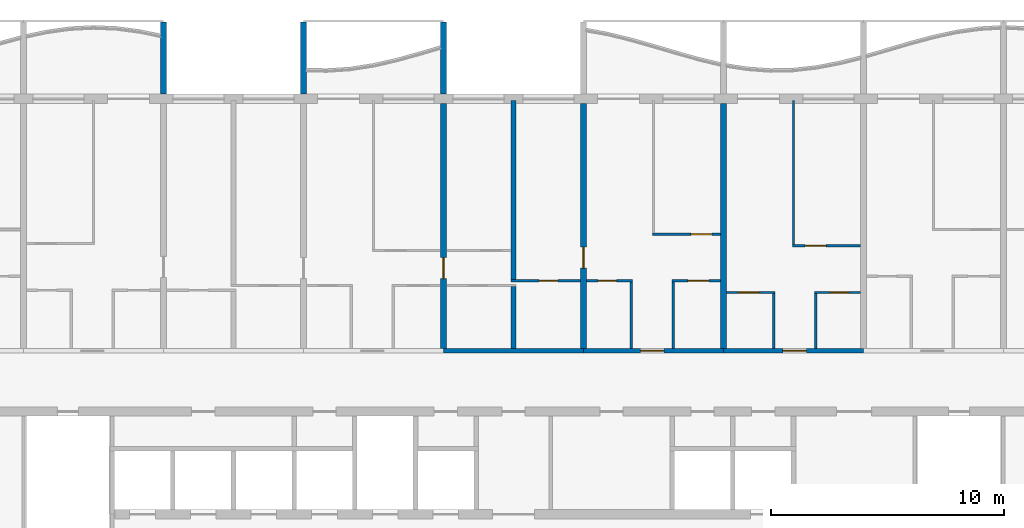
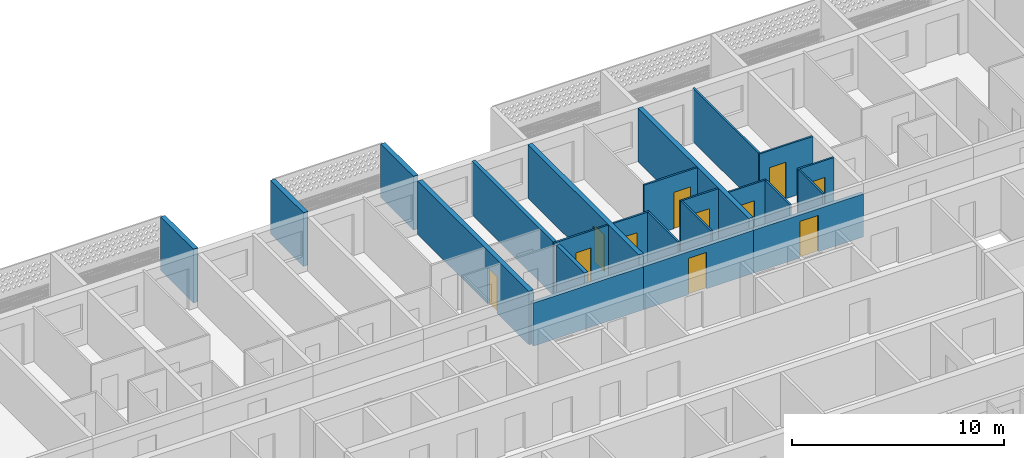
# One storey, part 9 of 28: 23 walls, 11 doors, 11 openings.
"""IFC4 building model written with IfcOpenShell, lengths in metres."""

from ifc_helpers import new_model, si_unit, direction, frame, frame_2d, origin, place, context, subcontext, project, spatial, polyline, rectangle, outline, extrude, source, transform, mapped, material, layer, layer_set, type_object, element, fill, save


model = new_model("IFC4")

# Units and contexts
model_context = context("Model", 3, precision=1e-05, world=origin(), true_north=direction((0.0, 1.0)))
body_context = subcontext(model_context, "Body", "Model", "MODEL_VIEW")
ifc_project = project(units=[si_unit("LENGTHUNIT", "METRE"), si_unit("AREAUNIT", "SQUARE_METRE"), si_unit("VOLUMEUNIT", "CUBIC_METRE"), si_unit("PLANEANGLEUNIT", "RADIAN"), si_unit("MASSUNIT", "GRAM", prefix="KILO")], contexts=[model_context])

# Site, building, storey
site_placement = place(None, origin())
site = spatial("IfcSite", under=ifc_project, at=site_placement, CompositionType="ELEMENT")
building_placement = place(site_placement, origin())
building = spatial("IfcBuilding", under=site, at=building_placement, Name="Poui Terraces", CompositionType="ELEMENT")
storey_placement = place(building_placement, frame((0.0, 0.0, 185.10009765625)))
storey = spatial("IfcBuildingStorey", under=building, at=storey_placement, Name="L51", CompositionType="ELEMENT", Elevation=185.10009765625)

# Wall
ifc_material_1 = material(Name="Concrete 50 MPa", Category="concrete")
ifc_layer_1 = layer(ifc_material_1, 0.199951171875)
ifc_layer_set_1 = layer_set([ifc_layer_1], Name="Concrete 50 MPa")
wall_type_1 = type_object("IfcWallType", Name="CORRIDOR WALL 200 50MPa", PredefinedType="SHEAR", material=ifc_layer_set_1)
wall_1_placement = place(storey_placement, frame((48.0, 30.39990234375, 0.0), z_axis=(0.0, 0.0, 1.0), x_axis=(1.0, 0.0, 0.0)))
element("IfcWall", 1, at=wall_1_placement, inside=storey, type_object=wall_type_1, Name="CORRIDOR WALL LINE E BAY 6", PredefinedType="SHEAR", context=body_context, shape_type="SweptSolid", body=[
    extrude(rectangle(XDim=6.0, YDim=0.199951171875, at=frame_2d((3.0, 0.0))), origin(), (0.0, 0.0, 1.0), 2.47998046875),
])

# Wall, opening, door
wall_2_placement = place(storey_placement, frame((54.0, 30.39990234375, 0.0), z_axis=(0.0, 0.0, 1.0), x_axis=(1.0, 0.0, 0.0)))
wall_2 = element("IfcWall", 2, at=wall_2_placement, inside=storey, type_object=wall_type_1, Name="CORRIDOR WALL LINE E BAY 7", PredefinedType="SHEAR", context=body_context, shape_type="SweptSolid", body=[
    extrude(rectangle(XDim=6.0, YDim=0.199951171875, at=frame_2d((3.0, 0.0))), origin(), (0.0, 0.0, 1.0), 2.47998046875),
])
opening_1_placement = place(wall_2_placement, frame((2.449951171875, 0.0, 0.0)))
opening_1 = element("IfcOpeningElement", 3, at=opening_1_placement, cuts=wall_2, Name="Opening FD30S", PredefinedType="OPENING", context=body_context, shape_type="SweptSolid", body=[
    extrude(rectangle(XDim=1.0, YDim=2.10009765625, at=frame_2d((0.5, 1.050048828125))), frame((0.0, 0.10986328125, 0.0), z_axis=(0.0, -1.0, 0.0), x_axis=(1.0, 0.0, 0.0)), (0.0, 0.0, 1.0), 0.219970703125),
])
ifc_material_2 = material(Name="Steel fire door", Category="steel")
door_type_1 = type_object("IfcDoorType", Name="FLAT ENTRANCE DOOR 1000 X 2100", OperationType="NOTDEFINED", PredefinedType="DOOR", material=ifc_material_2)
door_1_placement = place(opening_1_placement, origin())
door_1 = element("IfcDoor", 4, at=door_1_placement, inside=storey, type_object=door_type_1, Name="FLAT ENTRANCE DOOR 049", OperationType="SINGLE_SWING_LEFT", OverallHeight=2.10009765625, OverallWidth=1.0, PredefinedType="DOOR", context=body_context, shape_type="SweptSolid", body=[
    extrude(rectangle(XDim=1.0, YDim=2.10009765625, at=frame_2d((0.5, 1.050048828125))), frame((0.0, 0.02490234375, 0.0), z_axis=(0.0, -1.0, 0.0), x_axis=(1.0, 0.0, 0.0)), (0.0, 0.0, 1.0), 0.050048828125),
])
fill(opening_1, door_1)

wall_3_placement = place(storey_placement, frame((60.0, 30.39990234375, 0.0), z_axis=(0.0, 0.0, 1.0), x_axis=(1.0, 0.0, 0.0)))
wall_3 = element("IfcWall", 5, at=wall_3_placement, inside=storey, type_object=wall_type_1, Name="CORRIDOR WALL LINE E BAY 8", PredefinedType="SHEAR", context=body_context, shape_type="SweptSolid", body=[
    extrude(rectangle(XDim=6.0, YDim=0.199951171875, at=frame_2d((3.0, 0.0))), origin(), (0.0, 0.0, 1.0), 2.47998046875),
])
opening_2_placement = place(wall_3_placement, frame((2.550048828125, 0.0, 0.0)))
opening_2 = element("IfcOpeningElement", 6, at=opening_2_placement, cuts=wall_3, Name="Opening FD30S", PredefinedType="OPENING", context=body_context, shape_type="SweptSolid", body=[
    extrude(rectangle(XDim=1.0, YDim=2.10009765625, at=frame_2d((0.5, 1.050048828125))), frame((0.0, 0.10986328125, 0.0), z_axis=(0.0, -1.0, 0.0), x_axis=(1.0, 0.0, 0.0)), (0.0, 0.0, 1.0), 0.219970703125),
])
door_2_placement = place(opening_2_placement, origin())
door_2 = element("IfcDoor", 7, at=door_2_placement, inside=storey, type_object=door_type_1, Name="FLAT ENTRANCE DOOR 053", OperationType="SINGLE_SWING_RIGHT", OverallHeight=2.10009765625, OverallWidth=1.0, PredefinedType="DOOR", context=body_context, shape_type="SweptSolid", body=[
    extrude(rectangle(XDim=1.0, YDim=2.10009765625, at=frame_2d((0.5, 1.050048828125))), frame((0.0, 0.02490234375, 0.0), z_axis=(0.0, -1.0, 0.0), x_axis=(1.0, 0.0, 0.0)), (0.0, 0.0, 1.0), 0.050048828125),
])
fill(opening_2, door_2)

ifc_layer_2 = layer(ifc_material_1, 0.25)
ifc_layer_set_2 = layer_set([ifc_layer_2], Name="Concrete 50 MPa")
wall_type_2 = type_object("IfcWallType", Name="CROSS WALL 250 50MPa", PredefinedType="SHEAR", material=ifc_layer_set_2)
wall_4_placement = place(storey_placement, frame((48.0, 30.5, 0.0), z_axis=(0.0, 0.0, 1.0), x_axis=(0.0, 1.0, 0.0)))
wall_4 = element("IfcWall", 8, at=wall_4_placement, inside=storey, type_object=wall_type_2, Name="CROSS WALL LINE 9 NORTH", PredefinedType="SHEAR", context=body_context, shape_type="SweptSolid", body=[
    extrude(rectangle(XDim=10.5, YDim=0.25, at=frame_2d((5.25, 0.0))), origin(), (0.0, 0.0, 1.0), 3.079833984375),
])
opening_3_placement = place(wall_4_placement, frame((3.0, 0.0, 0.0)))
opening_3 = element("IfcOpeningElement", 9, at=opening_3_placement, cuts=wall_4, Name="Opening D90", PredefinedType="OPENING", context=body_context, shape_type="SweptSolid", body=[
    extrude(rectangle(XDim=0.89990234375, YDim=2.10009765625, at=frame_2d((0.449951171875, 1.050048828125))), frame((0.0, 0.135009765625, 0.0), z_axis=(0.0, -1.0, 0.0), x_axis=(1.0, 0.0, 0.0)), (0.0, 0.0, 1.0), 0.27001953125),
])
ifc_material_3 = material(Name="Solid core timber door", Category="wood")
door_type_2 = type_object("IfcDoorType", Name="INTERNAL DOOR 900 X 2100", OperationType="NOTDEFINED", PredefinedType="DOOR", material=ifc_material_3)
door_3_placement = place(opening_3_placement, origin())
door_3 = element("IfcDoor", 10, at=door_3_placement, inside=storey, type_object=door_type_2, Name="INTERNAL DOOR 045", OperationType="SINGLE_SWING_LEFT", OverallHeight=2.10009765625, OverallWidth=0.89990234375, PredefinedType="DOOR", context=body_context, shape_type="SweptSolid", body=[
    extrude(rectangle(XDim=0.89990234375, YDim=2.10009765625, at=frame_2d((0.449951171875, 1.050048828125))), frame((0.0, 0.02490234375, 0.0), z_axis=(0.0, -1.0, 0.0), x_axis=(1.0, 0.0, 0.0)), (0.0, 0.0, 1.0), 0.050048828125),
])
fill(opening_3, door_3)

wall_5_placement = place(storey_placement, frame((54.0, 30.5, 0.0), z_axis=(0.0, 0.0, 1.0), x_axis=(0.0, 1.0, 0.0)))
wall_5 = element("IfcWall", 11, at=wall_5_placement, inside=storey, type_object=wall_type_2, Name="CROSS WALL LINE 10 NORTH", PredefinedType="SHEAR", context=body_context, shape_type="SweptSolid", body=[
    extrude(rectangle(XDim=10.5, YDim=0.25, at=frame_2d((5.25, 0.0))), origin(), (0.0, 0.0, 1.0), 3.079833984375),
])
opening_4_placement = place(wall_5_placement, frame((3.449951171875, 0.0, 0.0)))
opening_4 = element("IfcOpeningElement", 12, at=opening_4_placement, cuts=wall_5, Name="Opening D90", PredefinedType="OPENING", context=body_context, shape_type="SweptSolid", body=[
    extrude(rectangle(XDim=0.89990234375, YDim=2.10009765625, at=frame_2d((0.449951171875, 1.050048828125))), frame((0.0, 0.135009765625, 0.0), z_axis=(0.0, -1.0, 0.0), x_axis=(1.0, 0.0, 0.0)), (0.0, 0.0, 1.0), 0.27001953125),
])
door_4_placement = place(opening_4_placement, origin())
door_4 = element("IfcDoor", 13, at=door_4_placement, inside=storey, type_object=door_type_2, Name="INTERNAL DOOR 047", OperationType="SINGLE_SWING_LEFT", OverallHeight=2.10009765625, OverallWidth=0.89990234375, PredefinedType="DOOR", context=body_context, shape_type="SweptSolid", body=[
    extrude(rectangle(XDim=0.89990234375, YDim=2.10009765625, at=frame_2d((0.449951171875, 1.050048828125))), frame((0.0, 0.02490234375, 0.0), z_axis=(0.0, -1.0, 0.0), x_axis=(1.0, 0.0, 0.0)), (0.0, 0.0, 1.0), 0.050048828125),
])
fill(opening_4, door_4)

# Wall
wall_6_placement = place(storey_placement, frame((60.0, 30.5, 0.0), z_axis=(0.0, 0.0, 1.0), x_axis=(0.0, 1.0, 0.0)))
element("IfcWall", 14, at=wall_6_placement, inside=storey, type_object=wall_type_2, Name="CROSS WALL LINE 11 NORTH", PredefinedType="SHEAR", context=body_context, shape_type="SweptSolid", body=[
    extrude(rectangle(XDim=10.5, YDim=0.25, at=frame_2d((5.25, 0.0))), origin(), (0.0, 0.0, 1.0), 3.079833984375),
])

# Wall, opening, door
ifc_material_4 = material(Name="Plasterboard partition")
ifc_layer_3 = layer(ifc_material_4, 0.10009765625)
ifc_layer_set_3 = layer_set([ifc_layer_3], Name="Plasterboard partition")
wall_type_3 = type_object("IfcWallType", Name="FLAT PARTITION 100", PredefinedType="PARTITIONING", material=ifc_layer_set_3)
wall_7_placement = place(storey_placement, frame((60.135009765625, 32.89990234375, 0.0), z_axis=(0.0, 0.0, 1.0), x_axis=(1.0, 0.0, 0.0)))
wall_7 = element("IfcWall", 15, at=wall_7_placement, inside=storey, type_object=wall_type_3, Name="FLAT PARTITION 100", PredefinedType="PARTITIONING", context=body_context, shape_type="SweptSolid", body=[
    extrude(rectangle(XDim=2.06494140625, YDim=0.10009765625, at=frame_2d((1.032470703125, 0.0))), origin(), (0.0, 0.0, 1.0), 3.079833984375),
])
opening_5_placement = place(wall_7_placement, frame((0.489990234375, 0.0, 0.0)))
opening_5 = element("IfcOpeningElement", 16, at=opening_5_placement, cuts=wall_7, Name="Opening D90", PredefinedType="OPENING", context=body_context, shape_type="SweptSolid", body=[
    extrude(rectangle(XDim=0.89990234375, YDim=2.10009765625, at=frame_2d((0.449951171875, 1.050048828125))), frame((0.0, 0.06005859375, 0.0), z_axis=(0.0, -1.0, 0.0), x_axis=(1.0, 0.0, 0.0)), (0.0, 0.0, 1.0), 0.1201171875),
])
door_5_placement = place(opening_5_placement, frame((0.89990234375, 0.0, 0.0), z_axis=(0.0, 0.0, 1.0), x_axis=(-1.0, 0.0, 0.0)))
door_5 = element("IfcDoor", 17, at=door_5_placement, inside=storey, type_object=door_type_2, Name="INTERNAL DOOR 052", OperationType="SINGLE_SWING_LEFT", OverallHeight=2.10009765625, OverallWidth=0.89990234375, PredefinedType="DOOR", context=body_context, shape_type="SweptSolid", body=[
    extrude(rectangle(XDim=0.89990234375, YDim=2.10009765625, at=frame_2d((0.449951171875, 1.050048828125))), frame((0.0, 0.02490234375, 0.0), z_axis=(0.0, -1.0, 0.0), x_axis=(1.0, 0.0, 0.0)), (0.0, 0.0, 1.0), 0.050048828125),
])
fill(opening_5, door_5)

wall_8_placement = place(storey_placement, frame((63.89990234375, 32.89990234375, 0.0), z_axis=(0.0, 0.0, 1.0), x_axis=(1.0, 0.0, 0.0)))
wall_8 = element("IfcWall", 18, at=wall_8_placement, inside=storey, type_object=wall_type_3, Name="FLAT PARTITION 100", PredefinedType="PARTITIONING", context=body_context, shape_type="SweptSolid", body=[
    extrude(rectangle(XDim=1.965087890625, YDim=0.10009765625, at=frame_2d((0.982421875, 0.0))), origin(), (0.0, 0.0, 1.0), 3.079833984375),
])
opening_6_placement = place(wall_8_placement, frame((0.675048828125, 0.0, 0.0)))
opening_6 = element("IfcOpeningElement", 19, at=opening_6_placement, cuts=wall_8, Name="Opening D80", PredefinedType="OPENING", context=body_context, shape_type="SweptSolid", body=[
    extrude(rectangle(XDim=0.800048828125, YDim=2.10009765625, at=frame_2d((0.39990234375, 1.050048828125))), frame((0.0, 0.06005859375, 0.0), z_axis=(0.0, -1.0, 0.0), x_axis=(1.0, 0.0, 0.0)), (0.0, 0.0, 1.0), 0.1201171875),
])
door_type_3 = type_object("IfcDoorType", Name="BATHROOM, LAUNDRY AND STORE DOOR 800 X 2100", OperationType="NOTDEFINED", PredefinedType="DOOR", material=ifc_material_3)
door_6_placement = place(opening_6_placement, frame((0.800048828125, 0.0, 0.0), z_axis=(0.0, 0.0, 1.0), x_axis=(-1.0, 0.0, 0.0)))
door_6 = element("IfcDoor", 20, at=door_6_placement, inside=storey, type_object=door_type_3, Name="BATHROOM, LAUNDRY AND STORE DOOR 055", OperationType="SINGLE_SWING_RIGHT", OverallHeight=2.10009765625, OverallWidth=0.800048828125, PredefinedType="DOOR", context=body_context, shape_type="SweptSolid", body=[
    extrude(rectangle(XDim=0.800048828125, YDim=2.10009765625, at=frame_2d((0.39990234375, 1.050048828125))), frame((0.0, 0.02490234375, 0.0), z_axis=(0.0, -1.0, 0.0), x_axis=(1.0, 0.0, 0.0)), (0.0, 0.0, 1.0), 0.050048828125),
])
fill(opening_6, door_6)

wall_9_placement = place(storey_placement, frame((50.89990234375, 33.39990234375, 0.0), z_axis=(0.0, 0.0, 1.0), x_axis=(1.0, 0.0, 0.0)))
wall_9 = element("IfcWall", 21, at=wall_9_placement, inside=storey, type_object=wall_type_3, Name="FLAT PARTITION 100", PredefinedType="PARTITIONING", context=body_context, shape_type="SweptSolid", body=[
    extrude(rectangle(XDim=2.965087890625, YDim=0.10009765625, at=frame_2d((1.482421875, 0.0))), origin(), (0.0, 0.0, 1.0), 3.079833984375),
])
opening_7_placement = place(wall_9_placement, frame((1.199951171875, 0.0, 0.0)))
opening_7 = element("IfcOpeningElement", 22, at=opening_7_placement, cuts=wall_9, Name="Opening D80", PredefinedType="OPENING", context=body_context, shape_type="SweptSolid", body=[
    extrude(rectangle(XDim=0.800048828125, YDim=2.10009765625, at=frame_2d((0.39990234375, 1.050048828125))), frame((0.0, 0.06005859375, 0.0), z_axis=(0.0, -1.0, 0.0), x_axis=(1.0, 0.0, 0.0)), (0.0, 0.0, 1.0), 0.1201171875),
])
door_7_placement = place(opening_7_placement, frame((0.800048828125, 0.0, 0.0), z_axis=(0.0, 0.0, 1.0), x_axis=(-1.0, 0.0, 0.0)))
door_7 = element("IfcDoor", 23, at=door_7_placement, inside=storey, type_object=door_type_3, Name="BATHROOM, LAUNDRY AND STORE DOOR 046", OperationType="SINGLE_SWING_RIGHT", OverallHeight=2.10009765625, OverallWidth=0.800048828125, PredefinedType="DOOR", context=body_context, shape_type="SweptSolid", body=[
    extrude(rectangle(XDim=0.800048828125, YDim=2.10009765625, at=frame_2d((0.39990234375, 1.050048828125))), frame((0.0, 0.02490234375, 0.0), z_axis=(0.0, -1.0, 0.0), x_axis=(1.0, 0.0, 0.0)), (0.0, 0.0, 1.0), 0.050048828125),
])
fill(opening_7, door_7)

wall_10_placement = place(storey_placement, frame((54.135009765625, 33.39990234375, 0.0), z_axis=(0.0, 0.0, 1.0), x_axis=(1.0, 0.0, 0.0)))
wall_10 = element("IfcWall", 24, at=wall_10_placement, inside=storey, type_object=wall_type_3, Name="FLAT PARTITION 100", PredefinedType="PARTITIONING", context=body_context, shape_type="SweptSolid", body=[
    extrude(rectangle(XDim=1.965087890625, YDim=0.10009765625, at=frame_2d((0.982421875, 0.0))), origin(), (0.0, 0.0, 1.0), 3.079833984375),
])
opening_8_placement = place(wall_10_placement, frame((0.489990234375, 0.0, 0.0)))
opening_8 = element("IfcOpeningElement", 25, at=opening_8_placement, cuts=wall_10, Name="Opening D80", PredefinedType="OPENING", context=body_context, shape_type="SweptSolid", body=[
    extrude(rectangle(XDim=0.800048828125, YDim=2.10009765625, at=frame_2d((0.39990234375, 1.050048828125))), frame((0.0, 0.06005859375, 0.0), z_axis=(0.0, -1.0, 0.0), x_axis=(1.0, 0.0, 0.0)), (0.0, 0.0, 1.0), 0.1201171875),
])
door_8_placement = place(opening_8_placement, frame((0.800048828125, 0.0, 0.0), z_axis=(0.0, 0.0, 1.0), x_axis=(-1.0, 0.0, 0.0)))
door_8 = element("IfcDoor", 26, at=door_8_placement, inside=storey, type_object=door_type_3, Name="BATHROOM, LAUNDRY AND STORE DOOR 048", OperationType="SINGLE_SWING_RIGHT", OverallHeight=2.10009765625, OverallWidth=0.800048828125, PredefinedType="DOOR", context=body_context, shape_type="SweptSolid", body=[
    extrude(rectangle(XDim=0.800048828125, YDim=2.10009765625, at=frame_2d((0.39990234375, 1.050048828125))), frame((0.0, 0.02490234375, 0.0), z_axis=(0.0, -1.0, 0.0), x_axis=(1.0, 0.0, 0.0)), (0.0, 0.0, 1.0), 0.050048828125),
])
fill(opening_8, door_8)

wall_11_placement = place(storey_placement, frame((57.800048828125, 33.39990234375, 0.0), z_axis=(0.0, 0.0, 1.0), x_axis=(1.0, 0.0, 0.0)))
wall_11 = element("IfcWall", 27, at=wall_11_placement, inside=storey, type_object=wall_type_3, Name="FLAT PARTITION 100", PredefinedType="PARTITIONING", context=body_context, shape_type="SweptSolid", body=[
    extrude(rectangle(XDim=2.06494140625, YDim=0.10009765625, at=frame_2d((1.032470703125, 0.0))), origin(), (0.0, 0.0, 1.0), 3.079833984375),
])
opening_9_placement = place(wall_11_placement, frame((0.675048828125, 0.0, 0.0)))
opening_9 = element("IfcOpeningElement", 28, at=opening_9_placement, cuts=wall_11, Name="Opening D90", PredefinedType="OPENING", context=body_context, shape_type="SweptSolid", body=[
    extrude(rectangle(XDim=0.89990234375, YDim=2.10009765625, at=frame_2d((0.449951171875, 1.050048828125))), frame((0.0, 0.06005859375, 0.0), z_axis=(0.0, -1.0, 0.0), x_axis=(1.0, 0.0, 0.0)), (0.0, 0.0, 1.0), 0.1201171875),
])
door_9_placement = place(opening_9_placement, frame((0.89990234375, 0.0, 0.0), z_axis=(0.0, 0.0, 1.0), x_axis=(-1.0, 0.0, 0.0)))
door_9 = element("IfcDoor", 29, at=door_9_placement, inside=storey, type_object=door_type_2, Name="INTERNAL DOOR 050", OperationType="SINGLE_SWING_LEFT", OverallHeight=2.10009765625, OverallWidth=0.89990234375, PredefinedType="DOOR", context=body_context, shape_type="SweptSolid", body=[
    extrude(rectangle(XDim=0.89990234375, YDim=2.10009765625, at=frame_2d((0.449951171875, 1.050048828125))), frame((0.0, 0.02490234375, 0.0), z_axis=(0.0, -1.0, 0.0), x_axis=(1.0, 0.0, 0.0)), (0.0, 0.0, 1.0), 0.050048828125),
])
fill(opening_9, door_9)

wall_12_placement = place(storey_placement, frame((62.949951171875, 34.89990234375, 0.0), z_axis=(0.0, 0.0, 1.0), x_axis=(1.0, 0.0, 0.0)))
wall_12 = element("IfcWall", 30, at=wall_12_placement, inside=storey, type_object=wall_type_3, Name="FLAT PARTITION 100", PredefinedType="PARTITIONING", context=body_context, shape_type="SweptSolid", body=[
    extrude(rectangle(XDim=2.9150390625, YDim=0.10009765625, at=frame_2d((1.45751953125, 0.0))), origin(), (0.0, 0.0, 1.0), 3.079833984375),
])
opening_10_placement = place(wall_12_placement, frame((0.550048828125, 0.0, 0.0)))
opening_10 = element("IfcOpeningElement", 31, at=opening_10_placement, cuts=wall_12, Name="Opening D90", PredefinedType="OPENING", context=body_context, shape_type="SweptSolid", body=[
    extrude(rectangle(XDim=0.89990234375, YDim=2.10009765625, at=frame_2d((0.449951171875, 1.050048828125))), frame((0.0, 0.06005859375, 0.0), z_axis=(0.0, -1.0, 0.0), x_axis=(1.0, 0.0, 0.0)), (0.0, 0.0, 1.0), 0.1201171875),
])
door_10_placement = place(opening_10_placement, frame((0.89990234375, 0.0, 0.0), z_axis=(0.0, 0.0, 1.0), x_axis=(-1.0, 0.0, 0.0)))
door_10 = element("IfcDoor", 32, at=door_10_placement, inside=storey, type_object=door_type_2, Name="INTERNAL DOOR 054", OperationType="SINGLE_SWING_LEFT", OverallHeight=2.10009765625, OverallWidth=0.89990234375, PredefinedType="DOOR", context=body_context, shape_type="SweptSolid", body=[
    extrude(rectangle(XDim=0.89990234375, YDim=2.10009765625, at=frame_2d((0.449951171875, 1.050048828125))), frame((0.0, 0.02490234375, 0.0), z_axis=(0.0, -1.0, 0.0), x_axis=(1.0, 0.0, 0.0)), (0.0, 0.0, 1.0), 0.050048828125),
])
fill(opening_10, door_10)

wall_13_placement = place(storey_placement, frame((56.949951171875, 35.39990234375, 0.0), z_axis=(0.0, 0.0, 1.0), x_axis=(1.0, 0.0, 0.0)))
wall_13 = element("IfcWall", 33, at=wall_13_placement, inside=storey, type_object=wall_type_3, Name="FLAT PARTITION 100", PredefinedType="PARTITIONING", context=body_context, shape_type="SweptSolid", body=[
    extrude(rectangle(XDim=2.9150390625, YDim=0.10009765625, at=frame_2d((1.45751953125, 0.0))), origin(), (0.0, 0.0, 1.0), 3.079833984375),
])
opening_11_placement = place(wall_13_placement, frame((1.64990234375, 0.0, 0.0)))
opening_11 = element("IfcOpeningElement", 34, at=opening_11_placement, cuts=wall_13, Name="Opening D90", PredefinedType="OPENING", context=body_context, shape_type="SweptSolid", body=[
    extrude(rectangle(XDim=0.89990234375, YDim=2.10009765625, at=frame_2d((0.449951171875, 1.050048828125))), frame((0.0, 0.06005859375, 0.0), z_axis=(0.0, -1.0, 0.0), x_axis=(1.0, 0.0, 0.0)), (0.0, 0.0, 1.0), 0.1201171875),
])
door_11_placement = place(opening_11_placement, frame((0.89990234375, 0.0, 0.0), z_axis=(0.0, 0.0, 1.0), x_axis=(-1.0, 0.0, 0.0)))
door_11 = element("IfcDoor", 35, at=door_11_placement, inside=storey, type_object=door_type_2, Name="INTERNAL DOOR 051", OperationType="SINGLE_SWING_RIGHT", OverallHeight=2.10009765625, OverallWidth=0.89990234375, PredefinedType="DOOR", context=body_context, shape_type="SweptSolid", body=[
    extrude(rectangle(XDim=0.89990234375, YDim=2.10009765625, at=frame_2d((0.449951171875, 1.050048828125))), frame((0.0, 0.02490234375, 0.0), z_axis=(0.0, -1.0, 0.0), x_axis=(1.0, 0.0, 0.0)), (0.0, 0.0, 1.0), 0.050048828125),
])
fill(opening_11, door_11)

# Walls
for number, where, z_axis, x_axis, name in (
    (36, (56.050048828125, 30.510009765625, 0.0), (0.0, 0.0, 1.0), (0.0, 1.0, 0.0), "FLAT PARTITION 100"),
    (37, (57.85009765625, 30.510009765625, 0.0), (0.0, 0.0, 1.0), (0.0, 1.0, 0.0), "FLAT PARTITION 100"),
):
    element("IfcWall", number, at=place(storey_placement, frame(where, z_axis=z_axis, x_axis=x_axis)), inside=storey, type_object=wall_type_3, Name=name, PredefinedType="PARTITIONING", context=body_context, shape_type="SweptSolid", body=[
        extrude(rectangle(XDim=2.840087890625, YDim=0.10009765625, at=frame_2d((1.419921875, 0.0))), origin(), (0.0, 0.0, 1.0), 3.079833984375),
    ])
wall_14_placement = place(storey_placement, frame((62.14990234375, 30.510009765625, 0.0), z_axis=(0.0, 0.0, 1.0), x_axis=(0.0, 1.0, 0.0)))
element("IfcWall", 38, at=wall_14_placement, inside=storey, type_object=wall_type_3, Name="FLAT PARTITION 100", PredefinedType="PARTITIONING", context=body_context, shape_type="SweptSolid", body=[
    extrude(rectangle(XDim=2.340087890625, YDim=0.10009765625, at=frame_2d((1.169921875, 0.0))), origin(), (0.0, 0.0, 1.0), 3.079833984375),
])
wall_15_placement = place(storey_placement, frame((63.0, 34.949951171875, 0.0), z_axis=(0.0, 0.0, 1.0), x_axis=(0.0, 1.0, 0.0)))
element("IfcWall", 39, at=wall_15_placement, inside=storey, type_object=wall_type_3, Name="FLAT PARTITION 100", PredefinedType="PARTITIONING", context=body_context, shape_type="SweptSolid", body=[
    extrude(rectangle(XDim=6.18994140625, YDim=0.10009765625, at=frame_2d((3.094970703125, 0.0))), origin(), (0.0, 0.0, 1.0), 3.079833984375),
])
wall_16_placement = place(storey_placement, frame((63.949951171875, 30.510009765625, 0.0), z_axis=(0.0, 0.0, 1.0), x_axis=(0.0, 1.0, 0.0)))
element("IfcWall", 40, at=wall_16_placement, inside=storey, type_object=wall_type_3, Name="FLAT PARTITION 100", PredefinedType="PARTITIONING", context=body_context, shape_type="SweptSolid", body=[
    extrude(rectangle(XDim=2.340087890625, YDim=0.10009765625, at=frame_2d((1.169921875, 0.0))), origin(), (0.0, 0.0, 1.0), 3.079833984375),
])
ifc_material_5 = material(Name="Fire-rated masonry wall", Category="masonry")
ifc_layer_4 = layer(ifc_material_5, 0.199951171875)
ifc_layer_set_4 = layer_set([ifc_layer_4], Name="Fire-rated masonry wall")
wall_type_4 = type_object("IfcWallType", Name="FLAT PARTY WALL 200", PredefinedType="PARTITIONING", material=ifc_layer_set_4)
wall_17_placement = place(storey_placement, frame((51.0, 30.510009765625, 0.0), z_axis=(0.0, 0.0, 1.0), x_axis=(0.0, 1.0, 0.0)))
element("IfcWall", 41, at=wall_17_placement, inside=storey, type_object=wall_type_4, Name="FLAT PARTY WALL 200", PredefinedType="PARTITIONING", context=body_context, shape_type="SweptSolid", body=[
    extrude(rectangle(XDim=2.639892578125, YDim=0.199951171875, at=frame_2d((1.31982421875, 0.0))), origin(), (0.0, 0.0, 1.0), 3.079833984375),
])
wall_18_placement = place(storey_placement, frame((51.0, 33.449951171875, 0.0), z_axis=(0.0, 0.0, 1.0), x_axis=(0.0, 1.0, 0.0)))
element("IfcWall", 42, at=wall_18_placement, inside=storey, type_object=wall_type_4, Name="FLAT PARTY WALL 200", PredefinedType="PARTITIONING", context=body_context, shape_type="SweptSolid", body=[
    extrude(rectangle(XDim=7.68994140625, YDim=0.199951171875, at=frame_2d((3.844970703125, 0.0))), origin(), (0.0, 0.0, 1.0), 3.079833984375),
])
ifc_material_6 = material(Name="Precast concrete 40 MPa", Category="concrete")
ifc_layer_5 = layer(ifc_material_6, 0.25)
ifc_layer_set_5 = layer_set([ifc_layer_5], Name="Precast concrete 40 MPa")
wall_type_5 = type_object("IfcWallType", Name="BALCONY FIN 250", PredefinedType="STANDARD", material=ifc_layer_set_5)
shared_shape = source(origin(), body_context, "Body", "SweptSolid", [
    extrude(outline(polyline([(0.0, 0.0), (0.25, 0.0), (0.25, 3.10009765625), (0.0, 3.10009765625), (0.0, 0.0)])), origin(), (0.0, 0.0, 1.0), 3.099853515625),
])
for number, where, name in (
    (43, (35.875, 41.39990234375, 0.0), "BALCONY FIN"),
    (44, (41.875, 41.39990234375, 0.0), "BALCONY FIN"),
    (45, (47.875, 41.39990234375, 0.0), "BALCONY FIN"),
):
    element("IfcWall", number, at=place(storey_placement, frame(where)), inside=storey, type_object=wall_type_5, Name=name, PredefinedType="STANDARD", context=body_context, shape_type="MappedRepresentation", body=[
        mapped(shared_shape, transform((0.0, 0.0, 0.0))),
    ])

save(model, "model.ifc")
